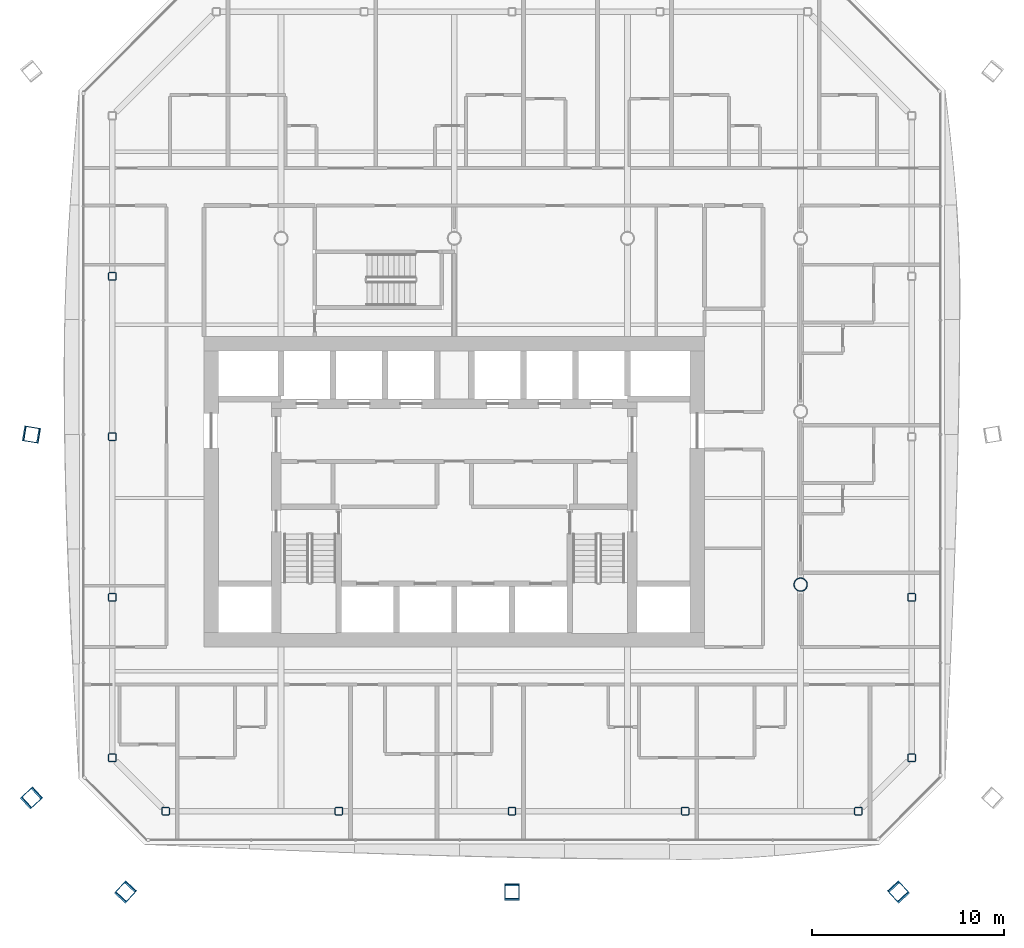
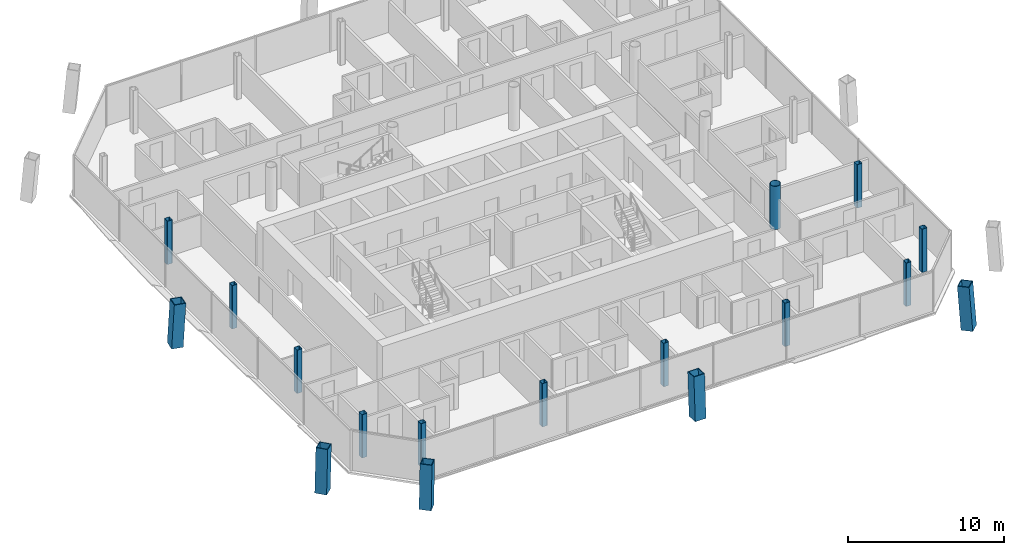
# One storey, part 1 of 21: 17 columns.
"""IFC4 building model written with IfcOpenShell, lengths in metres."""

from ifc_helpers import new_model, si_unit, direction, frame, origin, origin_2d, place, context, subcontext, project, spatial, hollow_rectangle, hollow_circle, extrude, material, material_profile, profile_set, type_object, element, save


model = new_model("IFC4")

# Units and contexts
model_context = context("Model", 3, precision=1e-05, world=origin(), true_north=direction((0.0, 1.0)))
body_context = subcontext(model_context, "Body", "Model", "MODEL_VIEW")
ifc_project = project(units=[si_unit("LENGTHUNIT", "METRE"), si_unit("AREAUNIT", "SQUARE_METRE"), si_unit("VOLUMEUNIT", "CUBIC_METRE"), si_unit("PLANEANGLEUNIT", "RADIAN"), si_unit("MASSUNIT", "GRAM", prefix="KILO")], contexts=[model_context])

# Site, building, storey
site_placement = place(None, origin())
site = spatial("IfcSite", under=ifc_project, at=site_placement, CompositionType="ELEMENT")
building_placement = place(site_placement, origin())
building = spatial("IfcBuilding", under=site, at=building_placement, Name="Tskaro Facet Tower", CompositionType="ELEMENT")
storey_placement = place(building_placement, frame((0.0, 0.0, 148.699951171875)))
storey = spatial("IfcBuildingStorey", under=building, at=storey_placement, Name="L36", CompositionType="ELEMENT", Elevation=148.699951171875)

# Columns
ifc_material_1 = material(Name="Steel S460M", Category="steel")
ifc_material_profile_1 = material_profile(ifc_material_1, hollow_rectangle(XDim=0.800048828125, YDim=0.800048828125, WallThickness=0.050048828125, at=origin_2d()), Name="BOX 800x800x50")
ifc_profile_set_1 = profile_set([ifc_material_profile_1], Name="Steel S460M")
column_type_1 = type_object("IfcColumnType", Name="BOX 800x800x50 mega column", PredefinedType="COLUMN", material=ifc_profile_set_1)
column_1_placement = place(storey_placement, frame((-17.116943359375, -25.006103515625, 0.0), z_axis=(0.048984053374, 0.053424128387, 0.997369753412), x_axis=(-0.737072109445, 0.675814105711, 0.0)))
element("IfcColumn", 1, at=column_1_placement, inside=storey, type_object=column_type_1, Name="BOX 800x800x50 MC01/3", PredefinedType="COLUMN", context=body_context, shape_type="SweptSolid", body=[
    extrude(hollow_rectangle(XDim=0.800048828125, YDim=0.800048828125, WallThickness=0.050048828125, at=origin_2d()), origin(), (0.0, 0.0, 1.0), 3.4091796875),
])
column_2_placement = place(storey_placement, frame((3.0, -25.006103515625, 0.0), z_axis=(0.0, 0.053488337888, 0.998568474222), x_axis=(-1.0, 0.0, 0.0)))
element("IfcColumn", 2, at=column_2_placement, inside=storey, type_object=column_type_1, Name="BOX 800x800x50 MC02/3", PredefinedType="COLUMN", context=body_context, shape_type="SweptSolid", body=[
    extrude(hollow_rectangle(XDim=0.800048828125, YDim=0.800048828125, WallThickness=0.050048828125, at=origin_2d()), origin(), (0.0, 0.0, 1.0), 3.405029296875),
])
column_3_placement = place(storey_placement, frame((23.116943359375, -25.006103515625, 0.0), z_axis=(-0.048984053374, 0.053424128387, 0.997369753412), x_axis=(-0.737072109445, -0.675814105711, 0.0)))
element("IfcColumn", 3, at=column_3_placement, inside=storey, type_object=column_type_1, Name="BOX 800x800x50 MC03/3", PredefinedType="COLUMN", context=body_context, shape_type="SweptSolid", body=[
    extrude(hollow_rectangle(XDim=0.800048828125, YDim=0.800048828125, WallThickness=0.050048828125, at=origin_2d()), origin(), (0.0, 0.0, 1.0), 3.4091796875),
])
column_4_placement = place(storey_placement, frame((-22.006103515625, -1.196044921875, 0.0), z_axis=(0.05348625793, -0.008818779793, 0.998529643694), x_axis=(0.162682900473, 0.986678404493, 0.0)))
element("IfcColumn", 4, at=column_4_placement, inside=storey, type_object=column_type_1, Name="BOX 800x800x50 MC11/3", PredefinedType="COLUMN", context=body_context, shape_type="SweptSolid", body=[
    extrude(hollow_rectangle(XDim=0.800048828125, YDim=0.800048828125, WallThickness=0.050048828125, at=origin_2d()), origin(), (0.0, 0.0, 1.0), 3.4052734375),
])
column_5_placement = place(storey_placement, frame((-22.006103515625, -20.116943359375, 0.0), z_axis=(0.053424128387, 0.048984053374, 0.997369753412), x_axis=(-0.675814105711, 0.737072109445, 0.0)))
element("IfcColumn", 5, at=column_5_placement, inside=storey, type_object=column_type_1, Name="BOX 800x800x50 MC12/3", PredefinedType="COLUMN", context=body_context, shape_type="SweptSolid", body=[
    extrude(hollow_rectangle(XDim=0.800048828125, YDim=0.800048828125, WallThickness=0.050048828125, at=origin_2d()), origin(), (0.0, 0.0, 1.0), 3.4091796875),
])
ifc_material_2 = material(Name="Steel S355J2H", Category="steel")
ifc_material_profile_2 = material_profile(ifc_material_2, hollow_circle(Radius=0.35546875, WallThickness=0.031982421875, at=origin_2d()), Name="CHS 711x32")
ifc_profile_set_2 = profile_set([ifc_material_profile_2], Name="Steel S355J2H")
column_type_2 = type_object("IfcColumnType", Name="CHS 711x32 interior column", PredefinedType="COLUMN", material=ifc_profile_set_2)
column_6_placement = place(storey_placement, frame((18.0, -9.0, 0.0), z_axis=(0.0, 0.0, 1.0), x_axis=(1.0, 0.0, 0.0)))
element("IfcColumn", 6, at=column_6_placement, inside=storey, type_object=column_type_2, Name="CHS 711x32 C6C/3", PredefinedType="COLUMN", context=body_context, shape_type="SweptSolid", body=[
    extrude(hollow_circle(Radius=0.35546875, WallThickness=0.031982421875, at=origin_2d()), origin(), (0.0, 0.0, 1.0), 3.400146484375),
])
ifc_material_profile_3 = material_profile(ifc_material_2, hollow_rectangle(XDim=0.39990234375, YDim=0.39990234375, WallThickness=0.02001953125, InnerFilletRadius=0.030029296875, OuterFilletRadius=0.050048828125, at=origin_2d()), Name="SHS 400x400x20")
ifc_profile_set_3 = profile_set([ifc_material_profile_3], Name="Steel S355J2H")
column_type_3 = type_object("IfcColumnType", Name="SHS 400x400x20 ring column", PredefinedType="COLUMN", material=ifc_profile_set_3)
for number, where, z_axis, x_axis, name in (
    (7, (-14.9990234375, -20.77392578125, 0.0), (0.0, 0.0, 1.0), (1.0, 0.0, 0.0), "SHS 400x400x20 RS-1/3"),
    (8, (-6.0, -20.77392578125, 0.0), (0.0, 0.0, 1.0), (1.0, 0.0, 0.0), "SHS 400x400x20 RS-2/3"),
    (9, (3.0, -20.77392578125, 0.0), (0.0, 0.0, 1.0), (1.0, 0.0, 0.0), "SHS 400x400x20 RS-3/3"),
    (10, (12.0, -20.77392578125, 0.0), (0.0, 0.0, 1.0), (1.0, 0.0, 0.0), "SHS 400x400x20 RS-4/3"),
    (11, (20.9990234375, -20.77392578125, 0.0), (0.0, 0.0, 1.0), (1.0, 0.0, 0.0), "SHS 400x400x20 RSE-1/3"),
    (12, (23.77392578125, -17.9990234375, 0.0), (0.0, 0.0, 1.0), (1.0, 0.0, 0.0), "SHS 400x400x20 RE-1/3"),
    (13, (23.77392578125, -9.656982421875, 0.0), (0.0, 0.0, 1.0), (1.0, 0.0, 0.0), "SHS 400x400x20 RE-2/3"),
    (14, (-17.77392578125, 7.02587890625, 0.0), (0.0, 0.0, 1.0), (1.0, 0.0, 0.0), "SHS 400x400x20 RW-2/3"),
    (15, (-17.77392578125, -1.31494140625, 0.0), (0.0, 0.0, 1.0), (1.0, 0.0, 0.0), "SHS 400x400x20 RW-3/3"),
    (16, (-17.77392578125, -9.656982421875, 0.0), (0.0, 0.0, 1.0), (1.0, 0.0, 0.0), "SHS 400x400x20 RW-4/3"),
    (17, (-17.77392578125, -17.9990234375, 0.0), (0.0, 0.0, 1.0), (1.0, 0.0, 0.0), "SHS 400x400x20 RSW-1/3"),
):
    element("IfcColumn", number, at=place(storey_placement, frame(where, z_axis=z_axis, x_axis=x_axis)), inside=storey, type_object=column_type_3, Name=name, PredefinedType="COLUMN", context=body_context, shape_type="SweptSolid", body=[
        extrude(hollow_rectangle(XDim=0.39990234375, YDim=0.39990234375, WallThickness=0.02001953125, InnerFilletRadius=0.030029296875, OuterFilletRadius=0.050048828125, at=origin_2d()), origin(), (0.0, 0.0, 1.0), 3.400146484375),
    ])

save(model, "model.ifc")
